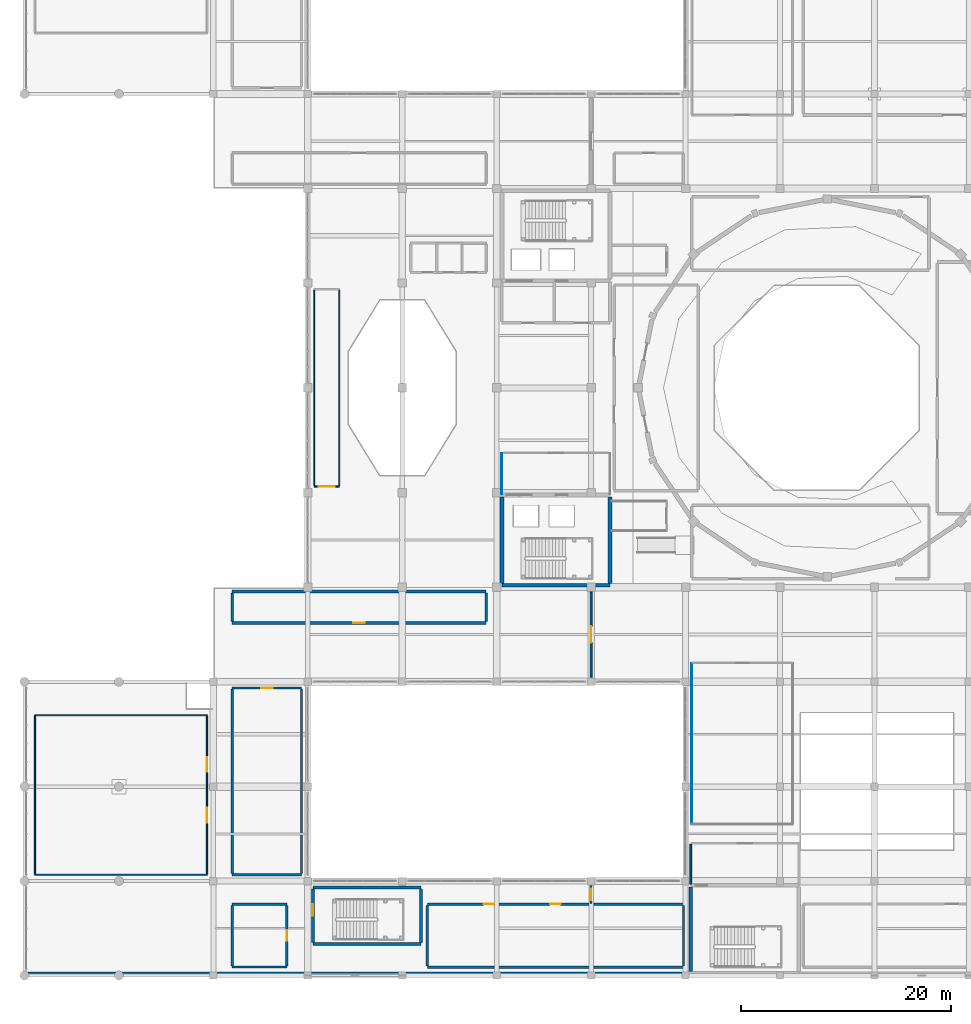
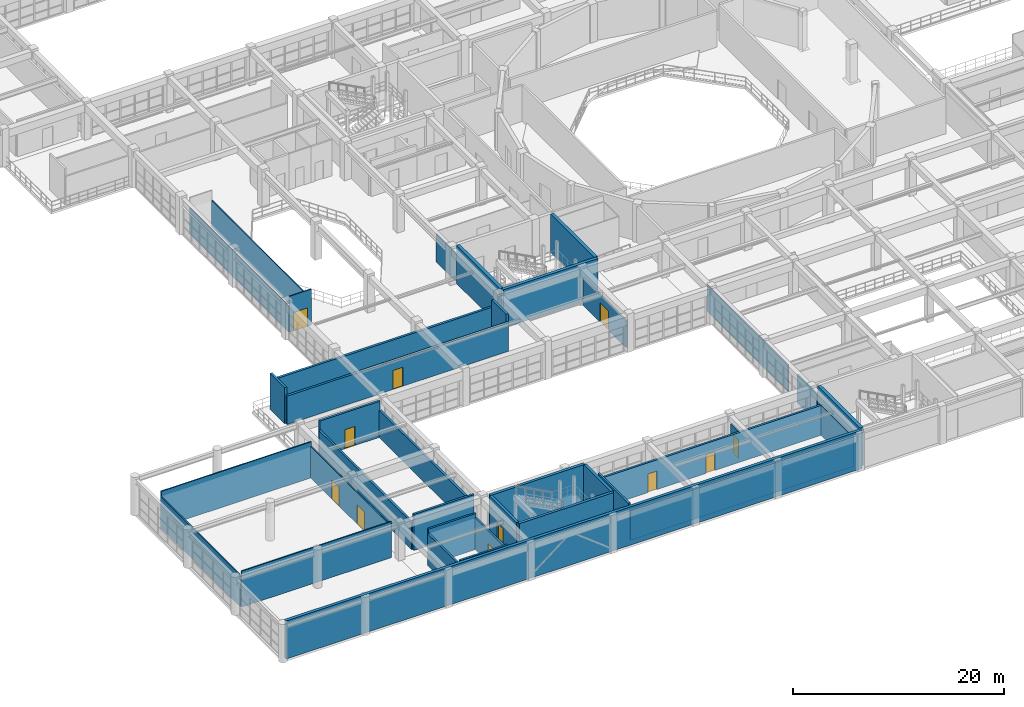
# One storey, part 107 of 133: 37 walls, 11 doors, 11 openings.
"""IFC4 building model written with IfcOpenShell, lengths in metres."""

from ifc_helpers import new_model, si_unit, direction, frame, frame_2d, origin, place, context, subcontext, project, spatial, rectangle, extrude, material, layer, layer_set, type_object, element, fill, save


model = new_model("IFC4")

# Units and contexts
model_context = context("Model", 3, precision=1e-05, world=origin(), true_north=direction((0.0, 1.0)))
body_context = subcontext(model_context, "Body", "Model", "MODEL_VIEW")
ifc_project = project(units=[si_unit("LENGTHUNIT", "METRE"), si_unit("AREAUNIT", "SQUARE_METRE"), si_unit("VOLUMEUNIT", "CUBIC_METRE"), si_unit("PLANEANGLEUNIT", "RADIAN"), si_unit("MASSUNIT", "GRAM", prefix="KILO")], contexts=[model_context])

# Site, building, storey
site_placement = place(None, origin())
site = spatial("IfcSite", under=ifc_project, at=site_placement, CompositionType="ELEMENT")
building_placement = place(site_placement, origin())
building = spatial("IfcBuilding", under=site, at=building_placement, Name="Miravela Opera House", CompositionType="ELEMENT")
storey_placement = place(building_placement, frame((0.0, 0.0, 5.10009765625)))
storey = spatial("IfcBuildingStorey", under=building, at=storey_placement, Name="L01", CompositionType="ELEMENT", Elevation=5.10009765625)

# Walls
ifc_material_1 = material(Name="Acoustic metal-stud gypsum partition")
ifc_layer_1 = layer(ifc_material_1, 0.090087890625)
ifc_layer_set_1 = layer_set([ifc_layer_1])
wall_type_1 = type_object("IfcWallType", Name="ARC-PT-090", PredefinedType="PARTITIONING", material=ifc_layer_set_1)
wall_1_placement = place(storey_placement, frame((45.5, 45.844970703125, 0.0), z_axis=(0.0, 0.0, 1.0), x_axis=(0.0, 1.0, 0.0)))
element("IfcWall", 1, at=wall_1_placement, inside=storey, type_object=wall_type_1, Name="Passenger Lift Lobby K2 L01 Partition West", PredefinedType="PARTITIONING", context=body_context, shape_type="SweptSolid", body=[
    extrude(rectangle(XDim=3.909912109375, YDim=0.090087890625, at=frame_2d((1.955078125, 0.0))), origin(), (0.0, 0.0, 1.0), 3.239990234375),
])
wall_2_placement = place(storey_placement, frame((63.60009765625, 14.445068359375, 0.0), z_axis=(0.0, 0.0, 1.0), x_axis=(0.0, 1.0, 0.0)))
element("IfcWall", 2, at=wall_2_placement, inside=storey, type_object=wall_type_1, Name="Stage Armoury and Prop Artisan Workshop Partition West", PredefinedType="PARTITIONING", context=body_context, shape_type="SweptSolid", body=[
    extrude(rectangle(XDim=15.309814453125, YDim=0.090087890625, at=frame_2d((7.65478515625, 0.0))), origin(), (0.0, 0.0, 1.0), 3.139892578125),
])

# Wall, opening, door
ifc_material_2 = material(Name="Double-layer acoustic gypsum partition")
ifc_layer_2 = layer(ifc_material_2, 0.110107421875)
ifc_layer_set_2 = layer_set([ifc_layer_2])
wall_type_2 = type_object("IfcWallType", Name="ARC-PT-110", PredefinedType="PARTITIONING", material=ifc_layer_set_2)
wall_3_placement = place(storey_placement, frame((27.60009765625, 46.60009765625, 0.0), z_axis=(0.0, 0.0, 1.0), x_axis=(1.0, 0.0, 0.0)))
wall_3 = element("IfcWall", 3, at=wall_3_placement, inside=storey, type_object=wall_type_2, Name="Royal Box Reception and Portrait Gallery Partition South", PredefinedType="PARTITIONING", context=body_context, shape_type="SweptSolid", body=[
    extrude(rectangle(XDim=2.39990234375, YDim=0.110107421875, at=frame_2d((1.199951171875, 0.0))), origin(), (0.0, 0.0, 1.0), 4.159912109375),
])
opening_1_placement = place(wall_3_placement, frame((0.439453125, 0.0, 0.0)))
opening_1 = element("IfcOpeningElement", 4, at=opening_1_placement, cuts=wall_3, Name="Opening ID-41", PredefinedType="OPENING", context=body_context, shape_type="SweptSolid", body=[
    extrude(rectangle(XDim=1.5400390625, YDim=2.139892578125, at=frame_2d((0.77001953125, 1.06982421875))), frame((0.0, 0.06494140625, 0.0), z_axis=(0.0, -1.0, 0.0), x_axis=(1.0, 0.0, 0.0)), (0.0, 0.0, 1.0), 0.130126953125),
])
ifc_material_3 = material(Name="Hardwood acoustic timber door leaf", Category="wood")
door_type_1 = type_object("IfcDoorType", Name="ARC-IDR-154X214", OperationType="NOTDEFINED", PredefinedType="DOOR", material=ifc_material_3)
door_1_placement = place(opening_1_placement, origin())
door_1 = element("IfcDoor", 5, at=door_1_placement, inside=storey, type_object=door_type_1, Name="Royal Box Reception and Portrait Gallery Entry Door IDR-L01-0166", OperationType="DOUBLE_DOOR_SINGLE_SWING", OverallHeight=2.139892578125, OverallWidth=1.5400390625, PredefinedType="DOOR", context=body_context, shape_type="SweptSolid", body=[
    extrude(rectangle(XDim=1.5400390625, YDim=2.139892578125, at=frame_2d((0.77001953125, 1.06982421875))), frame((0.0, 0.02490234375, 0.0), z_axis=(0.0, -1.0, 0.0), x_axis=(1.0, 0.0, 0.0)), (0.0, 0.0, 1.0), 0.050048828125),
])
fill(opening_1, door_1)

# Walls
for number, where, z_axis, x_axis, name in (
    (6, (27.60009765625, 46.655029296875, 0.0), (0.0, 0.0, 1.0), (0.0, 1.0, 0.0), "Royal Box Reception and Portrait Gallery Partition West"),
    (7, (30.0, 46.655029296875, 0.0), (0.0, 0.0, 1.0), (0.0, 1.0, 0.0), "Royal Box Reception and Portrait Gallery Partition East"),
):
    element("IfcWall", number, at=place(storey_placement, frame(where, z_axis=z_axis, x_axis=x_axis)), inside=storey, type_object=wall_type_2, Name=name, PredefinedType="PARTITIONING", context=body_context, shape_type="SweptSolid", body=[
        extrude(rectangle(XDim=18.68994140625, YDim=0.110107421875, at=frame_2d((9.344970703125, 0.0))), origin(), (0.0, 0.0, 1.0), 3.033935546875),
    ])
ifc_material_4 = material(Name="Fire-rated acoustic gypsum partition")
ifc_layer_3 = layer(ifc_material_4, 0.1298828125)
ifc_layer_set_3 = layer_set([ifc_layer_3])
wall_type_3 = type_object("IfcWallType", Name="ARC-PT-130", PredefinedType="PARTITIONING", material=ifc_layer_set_3)
for number, where, z_axis, x_axis, name in (
    (8, (1.0, 9.60009765625, 0.0), (0.0, 0.0, 1.0), (1.0, 0.0, 0.0), "Hispanic Music Heritage Exhibition Gallery Partition South"),
    (9, (1.0, 24.800048828125, 0.0), (0.0, 0.0, 1.0), (1.0, 0.0, 0.0), "Hispanic Music Heritage Exhibition Gallery Partition North"),
):
    element("IfcWall", number, at=place(storey_placement, frame(where, z_axis=z_axis, x_axis=x_axis)), inside=storey, type_object=wall_type_3, Name=name, PredefinedType="PARTITIONING", context=body_context, shape_type="SweptSolid", body=[
        extrude(rectangle(XDim=16.39990234375, YDim=0.1298828125, at=frame_2d((8.199951171875, 0.0))), origin(), (0.0, 0.0, 1.0), 4.159912109375),
    ])
wall_4_placement = place(storey_placement, frame((1.0, 9.6650390625, 0.0), z_axis=(0.0, 0.0, 1.0), x_axis=(0.0, 1.0, 0.0)))
element("IfcWall", 10, at=wall_4_placement, inside=storey, type_object=wall_type_3, Name="Hispanic Music Heritage Exhibition Gallery Partition West", PredefinedType="PARTITIONING", context=body_context, shape_type="SweptSolid", body=[
    extrude(rectangle(XDim=15.070068359375, YDim=0.1298828125, at=frame_2d((7.53515625, 0.0))), origin(), (0.0, 0.0, 1.0), 3.616943359375),
])

# Wall, openings, doors
wall_5_placement = place(storey_placement, frame((17.39990234375, 9.6650390625, 0.0), z_axis=(0.0, 0.0, 1.0), x_axis=(0.0, 1.0, 0.0)))
wall_5 = element("IfcWall", 11, at=wall_5_placement, inside=storey, type_object=wall_type_3, Name="Hispanic Music Heritage Exhibition Gallery Partition East", PredefinedType="PARTITIONING", context=body_context, shape_type="SweptSolid", body=[
    extrude(rectangle(XDim=15.070068359375, YDim=0.1298828125, at=frame_2d((7.53515625, 0.0))), origin(), (0.0, 0.0, 1.0), 3.616943359375),
])
opening_2_placement = place(wall_5_placement, frame((4.910400390625, 0.0, 0.0)))
opening_2 = element("IfcOpeningElement", 12, at=opening_2_placement, cuts=wall_5, Name="Opening ID-05", PredefinedType="OPENING", context=body_context, shape_type="SweptSolid", body=[
    extrude(rectangle(XDim=1.39990234375, YDim=2.199951171875, at=frame_2d((0.699951171875, 1.10009765625))), frame((0.0, 0.074951171875, 0.0), z_axis=(0.0, -1.0, 0.0), x_axis=(1.0, 0.0, 0.0)), (0.0, 0.0, 1.0), 0.14990234375),
])
opening_3_placement = place(wall_5_placement, frame((9.751708984375, 0.0, 0.0)))
opening_3 = element("IfcOpeningElement", 13, at=opening_3_placement, cuts=wall_5, Name="Opening ID-05", PredefinedType="OPENING", context=body_context, shape_type="SweptSolid", body=[
    extrude(rectangle(XDim=1.39990234375, YDim=2.199951171875, at=frame_2d((0.699951171875, 1.10009765625))), frame((0.0, 0.074951171875, 0.0), z_axis=(0.0, -1.0, 0.0), x_axis=(1.0, 0.0, 0.0)), (0.0, 0.0, 1.0), 0.14990234375),
])
ifc_material_5 = material(Name="Double-leaf glazed mahogany salon door")
door_type_2 = type_object("IfcDoorType", Name="ARC-DR-1400X2200", OperationType="NOTDEFINED", PredefinedType="DOOR", material=ifc_material_5)
door_2_placement = place(opening_2_placement, origin())
door_2 = element("IfcDoor", 14, at=door_2_placement, inside=storey, type_object=door_type_2, Name="Hispanic Music Heritage Exhibition Gallery Entry Door IDR-L01-0183", OperationType="DOUBLE_DOOR_SINGLE_SWING", OverallHeight=2.199951171875, OverallWidth=1.39990234375, PredefinedType="DOOR", context=body_context, shape_type="SweptSolid", body=[
    extrude(rectangle(XDim=1.39990234375, YDim=2.199951171875, at=frame_2d((0.699951171875, 1.10009765625))), frame((0.0, 0.02490234375, 0.0), z_axis=(0.0, -1.0, 0.0), x_axis=(1.0, 0.0, 0.0)), (0.0, 0.0, 1.0), 0.050048828125),
])
fill(opening_2, door_2)
door_3_placement = place(opening_3_placement, origin())
door_3 = element("IfcDoor", 15, at=door_3_placement, inside=storey, type_object=door_type_2, Name="Hispanic Music Heritage Exhibition Gallery Secondary Exit Door IDR-L01-0184", OperationType="DOUBLE_DOOR_SINGLE_SWING", OverallHeight=2.199951171875, OverallWidth=1.39990234375, PredefinedType="DOOR", context=body_context, shape_type="SweptSolid", body=[
    extrude(rectangle(XDim=1.39990234375, YDim=2.199951171875, at=frame_2d((0.699951171875, 1.10009765625))), frame((0.0, 0.02490234375, 0.0), z_axis=(0.0, -1.0, 0.0), x_axis=(1.0, 0.0, 0.0)), (0.0, 0.0, 1.0), 0.050048828125),
])
fill(opening_3, door_3)

# Wall
ifc_material_6 = material(Name="Rehearsal isolated acoustic partition")
ifc_layer_4 = layer(ifc_material_6, 0.169921875)
ifc_layer_set_4 = layer_set([ifc_layer_4])
wall_type_4 = type_object("IfcWallType", Name="ARC-PT-170", PredefinedType="PARTITIONING", material=ifc_layer_set_4)
wall_6_placement = place(storey_placement, frame((63.5, 8.68505859375, 0.0), z_axis=(0.0, 0.0, 1.0), x_axis=(0.0, 1.0, 0.0)))
element("IfcWall", 16, at=wall_6_placement, inside=storey, type_object=wall_type_4, Name="Passenger Lift Lobby K6 L01 Partition West", PredefinedType="PARTITIONING", context=body_context, shape_type="SweptSolid", body=[
    extrude(rectangle(XDim=3.829833984375, YDim=0.169921875, at=frame_2d((1.9150390625, 0.0))), origin(), (0.0, 0.0, 1.0), 3.239990234375),
])

# Wall, opening, door
ifc_material_7 = material(Name="Corridor fire-resisting masonry partition", Category="masonry")
ifc_layer_5 = layer(ifc_material_7, 0.18994140625)
ifc_layer_set_5 = layer_set([ifc_layer_5])
wall_type_5 = type_object("IfcWallType", Name="ARC-PT-190", PredefinedType="PARTITIONING", material=ifc_layer_set_5)
wall_7_placement = place(storey_placement, frame((54.0, 28.429931640625, 0.0), z_axis=(0.0, 0.0, 1.0), x_axis=(0.0, 1.0, 0.0)))
wall_7 = element("IfcWall", 17, at=wall_7_placement, inside=storey, type_object=wall_type_5, Name="Corridor Fire Smoke Compartment Partition PT-SMOKE-L01-0962", PredefinedType="PARTITIONING", context=body_context, shape_type="SweptSolid", body=[
    extrude(rectangle(XDim=8.14013671875, YDim=0.18994140625, at=frame_2d((4.070068359375, 0.0))), origin(), (0.0, 0.0, 1.0), 3.139892578125),
])
opening_4_placement = place(wall_7_placement, frame((3.27001953125, 0.0, 0.0)))
opening_4 = element("IfcOpeningElement", 18, at=opening_4_placement, cuts=wall_7, Name="Opening FD-04", PredefinedType="OPENING", context=body_context, shape_type="SweptSolid", body=[
    extrude(rectangle(XDim=1.60009765625, YDim=2.25, at=frame_2d((0.800048828125, 1.125))), frame((0.0, 0.10498046875, 0.0), z_axis=(0.0, -1.0, 0.0), x_axis=(1.0, 0.0, 0.0)), (0.0, 0.0, 1.0), 0.2099609375),
])
ifc_material_8 = material(Name="Fire-rated rehearsal/vomitory double door")
door_type_3 = type_object("IfcDoorType", Name="ARC-FD-1600X2250", OperationType="NOTDEFINED", PredefinedType="DOOR", material=ifc_material_8)
door_4_placement = place(opening_4_placement, frame((1.60009765625, 0.0, 0.0), z_axis=(0.0, 0.0, 1.0), x_axis=(-1.0, 0.0, 0.0)))
door_4 = element("IfcDoor", 19, at=door_4_placement, inside=storey, type_object=door_type_3, Name="Corridor Smoke Compartment Door 06 IDR-L01-0352", OperationType="DOUBLE_DOOR_SINGLE_SWING", OverallHeight=2.25, OverallWidth=1.60009765625, PredefinedType="DOOR", context=body_context, shape_type="SweptSolid", body=[
    extrude(rectangle(XDim=1.60009765625, YDim=2.25, at=frame_2d((0.800048828125, 1.125))), frame((0.0, 0.02490234375, 0.0), z_axis=(0.0, -1.0, 0.0), x_axis=(1.0, 0.0, 0.0)), (0.0, 0.0, 1.0), 0.050048828125),
])
fill(opening_4, door_4)

wall_8_placement = place(storey_placement, frame((54.0, 6.8798828125, 0.0), z_axis=(0.0, 0.0, 1.0), x_axis=(0.0, 1.0, 0.0)))
wall_8 = element("IfcWall", 20, at=wall_8_placement, inside=storey, type_object=wall_type_5, Name="Corridor Fire Smoke Compartment Partition PT-SMOKE-L01-0963", PredefinedType="PARTITIONING", context=body_context, shape_type="SweptSolid", body=[
    extrude(rectangle(XDim=1.72021484375, YDim=0.18994140625, at=frame_2d((0.860107421875, 0.0))), origin(), (0.0, 0.0, 1.0), 3.239990234375),
])
opening_5_placement = place(wall_8_placement, frame((0.31005859375, 0.0, 0.0)))
opening_5 = element("IfcOpeningElement", 21, at=opening_5_placement, cuts=wall_8, Name="Opening FD-01", PredefinedType="OPENING", context=body_context, shape_type="SweptSolid", body=[
    extrude(rectangle(XDim=1.10009765625, YDim=2.199951171875, at=frame_2d((0.550048828125, 1.10009765625))), frame((0.0, 0.10498046875, 0.0), z_axis=(0.0, -1.0, 0.0), x_axis=(1.0, 0.0, 0.0)), (0.0, 0.0, 1.0), 0.2099609375),
])
ifc_material_9 = material(Name="Fire-rated steel/hardwood exit stair door", Category="steel")
door_type_4 = type_object("IfcDoorType", Name="ARC-FD-1100X2200", OperationType="NOTDEFINED", PredefinedType="DOOR", material=ifc_material_9)
door_5_placement = place(opening_5_placement, frame((1.10009765625, 0.0, 0.0), z_axis=(0.0, 0.0, 1.0), x_axis=(-1.0, 0.0, 0.0)))
door_5 = element("IfcDoor", 22, at=door_5_placement, inside=storey, type_object=door_type_4, Name="Corridor Smoke Compartment Door 07 IDR-L01-0353", OperationType="SINGLE_SWING_RIGHT", OverallHeight=2.199951171875, OverallWidth=1.10009765625, PredefinedType="DOOR", context=body_context, shape_type="SweptSolid", body=[
    extrude(rectangle(XDim=1.10009765625, YDim=2.199951171875, at=frame_2d((0.550048828125, 1.10009765625))), frame((0.0, 0.02490234375, 0.0), z_axis=(0.0, -1.0, 0.0), x_axis=(1.0, 0.0, 0.0)), (0.0, 0.0, 1.0), 0.050048828125),
])
fill(opening_5, door_5)

# Wall
ifc_material_10 = material(Name="High-STC auditorium lobby partition")
ifc_layer_6 = layer(ifc_material_10, 0.22998046875)
ifc_layer_set_6 = layer_set([ifc_layer_6])
wall_type_6 = type_object("IfcWallType", Name="ARC-PT-205", PredefinedType="PARTITIONING", material=ifc_layer_set_6)
wall_9_placement = place(storey_placement, frame((38.39990234375, 0.800048828125, 0.0), z_axis=(0.0, 0.0, 1.0), x_axis=(1.0, 0.0, 0.0)))
element("IfcWall", 23, at=wall_9_placement, inside=storey, type_object=wall_type_6, Name="Principal Soloist Dressing Suite 2 Partition South", PredefinedType="PARTITIONING", context=body_context, shape_type="SweptSolid", body=[
    extrude(rectangle(XDim=24.400146484375, YDim=0.22998046875, at=frame_2d((12.2001953125, 0.0))), origin(), (0.0, 0.0, 1.0), 3.43994140625),
])

# Wall, openings, doors
wall_10_placement = place(storey_placement, frame((38.39990234375, 6.800048828125, 0.0), z_axis=(0.0, 0.0, 1.0), x_axis=(1.0, 0.0, 0.0)))
wall_10 = element("IfcWall", 24, at=wall_10_placement, inside=storey, type_object=wall_type_6, Name="Principal Soloist Dressing Suite 2 Partition North", PredefinedType="PARTITIONING", context=body_context, shape_type="SweptSolid", body=[
    extrude(rectangle(XDim=24.400146484375, YDim=0.22998046875, at=frame_2d((12.2001953125, 0.0))), origin(), (0.0, 0.0, 1.0), 3.43994140625),
])
opening_6_placement = place(wall_10_placement, frame((11.699951171875, 0.0, 0.0)))
opening_6 = element("IfcOpeningElement", 25, at=opening_6_placement, cuts=wall_10, Name="Opening ID-02", PredefinedType="OPENING", context=body_context, shape_type="SweptSolid", body=[
    extrude(rectangle(XDim=1.0, YDim=2.14990234375, at=frame_2d((0.5, 1.074951171875))), frame((0.0, 0.125, 0.0), z_axis=(0.0, -1.0, 0.0), x_axis=(1.0, 0.0, 0.0)), (0.0, 0.0, 1.0), 0.25),
])
opening_7_placement = place(wall_10_placement, frame((5.367919921875, 0.0, 0.0)))
opening_7 = element("IfcOpeningElement", 26, at=opening_7_placement, cuts=wall_10, Name="Opening ID-02", PredefinedType="OPENING", context=body_context, shape_type="SweptSolid", body=[
    extrude(rectangle(XDim=1.0, YDim=2.14990234375, at=frame_2d((0.5, 1.074951171875))), frame((0.0, 0.125, 0.0), z_axis=(0.0, -1.0, 0.0), x_axis=(1.0, 0.0, 0.0)), (0.0, 0.0, 1.0), 0.25),
])
ifc_material_11 = material(Name="Solid mahogany soloist suite door")
door_type_5 = type_object("IfcDoorType", Name="ARC-DR-1000X2150", OperationType="NOTDEFINED", PredefinedType="DOOR", material=ifc_material_11)
door_6_placement = place(opening_6_placement, frame((1.0, 0.0, 0.0), z_axis=(0.0, 0.0, 1.0), x_axis=(-1.0, 0.0, 0.0)))
door_6 = element("IfcDoor", 27, at=door_6_placement, inside=storey, type_object=door_type_5, Name="Principal Soloist Dressing Suite 2 Entry Door IDR-L01-0176", OperationType="SINGLE_SWING_RIGHT", OverallHeight=2.14990234375, OverallWidth=1.0, PredefinedType="DOOR", context=body_context, shape_type="SweptSolid", body=[
    extrude(rectangle(XDim=1.0, YDim=2.14990234375, at=frame_2d((0.5, 1.074951171875))), frame((0.0, 0.02490234375, 0.0), z_axis=(0.0, -1.0, 0.0), x_axis=(1.0, 0.0, 0.0)), (0.0, 0.0, 1.0), 0.050048828125),
])
fill(opening_6, door_6)
door_7_placement = place(opening_7_placement, frame((1.0, 0.0, 0.0), z_axis=(0.0, 0.0, 1.0), x_axis=(-1.0, 0.0, 0.0)))
door_7 = element("IfcDoor", 28, at=door_7_placement, inside=storey, type_object=door_type_5, Name="Principal Soloist Dressing Suite 2 Secondary Exit Door IDR-L01-0177", OperationType="SINGLE_SWING_LEFT", OverallHeight=2.14990234375, OverallWidth=1.0, PredefinedType="DOOR", context=body_context, shape_type="SweptSolid", body=[
    extrude(rectangle(XDim=1.0, YDim=2.14990234375, at=frame_2d((0.5, 1.074951171875))), frame((0.0, 0.02490234375, 0.0), z_axis=(0.0, -1.0, 0.0), x_axis=(1.0, 0.0, 0.0)), (0.0, 0.0, 1.0), 0.050048828125),
])
fill(opening_7, door_7)

# Walls
wall_11_placement = place(storey_placement, frame((38.39990234375, 0.9150390625, 0.0), z_axis=(0.0, 0.0, 1.0), x_axis=(0.0, 1.0, 0.0)))
element("IfcWall", 29, at=wall_11_placement, inside=storey, type_object=wall_type_6, Name="Principal Soloist Dressing Suite 2 Partition West", PredefinedType="PARTITIONING", context=body_context, shape_type="SweptSolid", body=[
    extrude(rectangle(XDim=5.77001953125, YDim=0.22998046875, at=frame_2d((2.885009765625, 0.0))), origin(), (0.0, 0.0, 1.0), 4.159912109375),
])
wall_12_placement = place(storey_placement, frame((62.800048828125, 0.9150390625, 0.0), z_axis=(0.0, 0.0, 1.0), x_axis=(0.0, 1.0, 0.0)))
element("IfcWall", 30, at=wall_12_placement, inside=storey, type_object=wall_type_6, Name="Principal Soloist Dressing Suite 2 Partition East", PredefinedType="PARTITIONING", context=body_context, shape_type="SweptSolid", body=[
    extrude(rectangle(XDim=5.77001953125, YDim=0.22998046875, at=frame_2d((2.885009765625, 0.0))), origin(), (0.0, 0.0, 1.0), 3.43994140625),
])
wall_13_placement = place(storey_placement, frame((19.800048828125, 9.60009765625, 0.0), z_axis=(0.0, 0.0, 1.0), x_axis=(1.0, 0.0, 0.0)))
element("IfcWall", 31, at=wall_13_placement, inside=storey, type_object=wall_type_6, Name="Principal Conductor and Maestro Suite Partition South", PredefinedType="PARTITIONING", context=body_context, shape_type="SweptSolid", body=[
    extrude(rectangle(XDim=6.599853515625, YDim=0.22998046875, at=frame_2d((3.2998046875, 0.0))), origin(), (0.0, 0.0, 1.0), 4.159912109375),
])

# Wall, opening, door
wall_14_placement = place(storey_placement, frame((19.800048828125, 27.39990234375, 0.0), z_axis=(0.0, 0.0, 1.0), x_axis=(1.0, 0.0, 0.0)))
wall_14 = element("IfcWall", 32, at=wall_14_placement, inside=storey, type_object=wall_type_6, Name="Principal Conductor and Maestro Suite Partition North", PredefinedType="PARTITIONING", context=body_context, shape_type="SweptSolid", body=[
    extrude(rectangle(XDim=6.599853515625, YDim=0.22998046875, at=frame_2d((3.2998046875, 0.0))), origin(), (0.0, 0.0, 1.0), 4.159912109375),
])
opening_8_placement = place(wall_14_placement, frame((2.75, 0.0, 0.0)))
opening_8 = element("IfcOpeningElement", 33, at=opening_8_placement, cuts=wall_14, Name="Opening ID-03", PredefinedType="OPENING", context=body_context, shape_type="SweptSolid", body=[
    extrude(rectangle(XDim=1.10009765625, YDim=2.199951171875, at=frame_2d((0.550048828125, 1.10009765625))), frame((0.0, 0.125, 0.0), z_axis=(0.0, -1.0, 0.0), x_axis=(1.0, 0.0, 0.0)), (0.0, 0.0, 1.0), 0.25),
])
ifc_material_12 = material(Name="Acoustic hardwood studio door", Category="wood")
door_type_6 = type_object("IfcDoorType", Name="ARC-DR-1100X2200", OperationType="NOTDEFINED", PredefinedType="DOOR", material=ifc_material_12)
door_8_placement = place(opening_8_placement, frame((1.10009765625, 0.0, 0.0), z_axis=(0.0, 0.0, 1.0), x_axis=(-1.0, 0.0, 0.0)))
door_8 = element("IfcDoor", 34, at=door_8_placement, inside=storey, type_object=door_type_6, Name="Principal Conductor and Maestro Suite Entry Door IDR-L01-0189", OperationType="SINGLE_SWING_RIGHT", OverallHeight=2.199951171875, OverallWidth=1.10009765625, PredefinedType="DOOR", context=body_context, shape_type="SweptSolid", body=[
    extrude(rectangle(XDim=1.10009765625, YDim=2.199951171875, at=frame_2d((0.550048828125, 1.10009765625))), frame((0.0, 0.02490234375, 0.0), z_axis=(0.0, -1.0, 0.0), x_axis=(1.0, 0.0, 0.0)), (0.0, 0.0, 1.0), 0.050048828125),
])
fill(opening_8, door_8)

# Walls
for number, where, z_axis, x_axis, name in (
    (35, (19.800048828125, 9.715087890625, 0.0), (0.0, 0.0, 1.0), (0.0, 1.0, 0.0), "Principal Conductor and Maestro Suite Partition West"),
    (36, (26.39990234375, 9.715087890625, 0.0), (0.0, 0.0, 1.0), (0.0, 1.0, 0.0), "Principal Conductor and Maestro Suite Partition East"),
):
    element("IfcWall", number, at=place(storey_placement, frame(where, z_axis=z_axis, x_axis=x_axis)), inside=storey, type_object=wall_type_6, Name=name, PredefinedType="PARTITIONING", context=body_context, shape_type="SweptSolid", body=[
        extrude(rectangle(XDim=17.56982421875, YDim=0.22998046875, at=frame_2d((8.784912109375, 0.0))), origin(), (0.0, 0.0, 1.0), 3.139892578125),
    ])
ifc_material_13 = material(Name="Workshop fire-resisting block partition")
ifc_layer_7 = layer(ifc_material_13, 0.2099609375)
ifc_layer_set_7 = layer_set([ifc_layer_7])
wall_type_7 = type_object("IfcWallType", Name="ARC-PT-210", PredefinedType="PARTITIONING", material=ifc_layer_set_7)
for number, where, z_axis, x_axis, name in (
    (37, (19.800048828125, 0.800048828125, 0.0), (0.0, 0.0, 1.0), (1.0, 0.0, 0.0), "Principal Soloist Dressing Suite 1 Partition South"),
    (38, (19.800048828125, 6.800048828125, 0.0), (0.0, 0.0, 1.0), (1.0, 0.0, 0.0), "Principal Soloist Dressing Suite 1 Partition North"),
):
    element("IfcWall", number, at=place(storey_placement, frame(where, z_axis=z_axis, x_axis=x_axis)), inside=storey, type_object=wall_type_7, Name=name, PredefinedType="PARTITIONING", context=body_context, shape_type="SweptSolid", body=[
        extrude(rectangle(XDim=5.199951171875, YDim=0.2099609375, at=frame_2d((2.60009765625, 0.0))), origin(), (0.0, 0.0, 1.0), 4.159912109375),
    ])
wall_15_placement = place(storey_placement, frame((19.800048828125, 0.905029296875, 0.0), z_axis=(0.0, 0.0, 1.0), x_axis=(0.0, 1.0, 0.0)))
element("IfcWall", 39, at=wall_15_placement, inside=storey, type_object=wall_type_7, Name="Principal Soloist Dressing Suite 1 Partition West", PredefinedType="PARTITIONING", context=body_context, shape_type="SweptSolid", body=[
    extrude(rectangle(XDim=5.7900390625, YDim=0.2099609375, at=frame_2d((2.89501953125, 0.0))), origin(), (0.0, 0.0, 1.0), 3.680908203125),
])

# Wall, opening, door
wall_16_placement = place(storey_placement, frame((25.0, 0.905029296875, 0.0), z_axis=(0.0, 0.0, 1.0), x_axis=(0.0, 1.0, 0.0)))
wall_16 = element("IfcWall", 40, at=wall_16_placement, inside=storey, type_object=wall_type_7, Name="Principal Soloist Dressing Suite 1 Partition East", PredefinedType="PARTITIONING", context=body_context, shape_type="SweptSolid", body=[
    extrude(rectangle(XDim=5.7900390625, YDim=0.2099609375, at=frame_2d((2.89501953125, 0.0))), origin(), (0.0, 0.0, 1.0), 3.680908203125),
])
opening_9_placement = place(wall_16_placement, frame((2.39501953125, 0.0, 0.0)))
opening_9 = element("IfcOpeningElement", 41, at=opening_9_placement, cuts=wall_16, Name="Opening ID-02", PredefinedType="OPENING", context=body_context, shape_type="SweptSolid", body=[
    extrude(rectangle(XDim=1.0, YDim=2.14990234375, at=frame_2d((0.5, 1.074951171875))), frame((0.0, 0.114990234375, 0.0), z_axis=(0.0, -1.0, 0.0), x_axis=(1.0, 0.0, 0.0)), (0.0, 0.0, 1.0), 0.22998046875),
])
door_9_placement = place(opening_9_placement, origin())
door_9 = element("IfcDoor", 42, at=door_9_placement, inside=storey, type_object=door_type_5, Name="Principal Soloist Dressing Suite 1 Entry Door IDR-L01-0175", OperationType="SINGLE_SWING_LEFT", OverallHeight=2.14990234375, OverallWidth=1.0, PredefinedType="DOOR", context=body_context, shape_type="SweptSolid", body=[
    extrude(rectangle(XDim=1.0, YDim=2.14990234375, at=frame_2d((0.5, 1.074951171875))), frame((0.0, 0.02490234375, 0.0), z_axis=(0.0, -1.0, 0.0), x_axis=(1.0, 0.0, 0.0)), (0.0, 0.0, 1.0), 0.050048828125),
])
fill(opening_9, door_9)

ifc_material_14 = material(Name="Firefighting lobby compartment wall")
ifc_layer_8 = layer(ifc_material_14, 0.25)
ifc_layer_set_8 = layer_set([ifc_layer_8])
wall_type_8 = type_object("IfcWallType", Name="ARC-PT-220", PredefinedType="PARTITIONING", material=ifc_layer_set_8)
wall_17_placement = place(storey_placement, frame((19.800048828125, 33.60009765625, 0.0), z_axis=(0.0, 0.0, 1.0), x_axis=(1.0, 0.0, 0.0)))
wall_17 = element("IfcWall", 43, at=wall_17_placement, inside=storey, type_object=wall_type_8, Name="Visiting Soloist Dressing Suite 3 Partition South", PredefinedType="PARTITIONING", context=body_context, shape_type="SweptSolid", body=[
    extrude(rectangle(XDim=24.199951171875, YDim=0.25, at=frame_2d((12.10009765625, 0.0))), origin(), (0.0, 0.0, 1.0), 3.289794921875),
])
opening_10_placement = place(wall_17_placement, frame((11.550048828125, 0.0, 0.0)))
opening_10 = element("IfcOpeningElement", 44, at=opening_10_placement, cuts=wall_17, Name="Opening ID-03", PredefinedType="OPENING", context=body_context, shape_type="SweptSolid", body=[
    extrude(rectangle(XDim=1.10009765625, YDim=2.199951171875, at=frame_2d((0.550048828125, 1.10009765625))), frame((0.0, 0.135009765625, 0.0), z_axis=(0.0, -1.0, 0.0), x_axis=(1.0, 0.0, 0.0)), (0.0, 0.0, 1.0), 0.27001953125),
])
door_10_placement = place(opening_10_placement, frame((1.10009765625, 0.0, 0.0), z_axis=(0.0, 0.0, 1.0), x_axis=(-1.0, 0.0, 0.0)))
door_10 = element("IfcDoor", 45, at=door_10_placement, inside=storey, type_object=door_type_6, Name="Visiting Soloist Dressing Suite 3 Entry Door IDR-L01-0190", OperationType="SINGLE_SWING_LEFT", OverallHeight=2.199951171875, OverallWidth=1.10009765625, PredefinedType="DOOR", context=body_context, shape_type="SweptSolid", body=[
    extrude(rectangle(XDim=1.10009765625, YDim=2.199951171875, at=frame_2d((0.550048828125, 1.10009765625))), frame((0.0, 0.02490234375, 0.0), z_axis=(0.0, -1.0, 0.0), x_axis=(1.0, 0.0, 0.0)), (0.0, 0.0, 1.0), 0.050048828125),
])
fill(opening_10, door_10)

# Walls
wall_18_placement = place(storey_placement, frame((19.800048828125, 36.60009765625, 0.0), z_axis=(0.0, 0.0, 1.0), x_axis=(1.0, 0.0, 0.0)))
element("IfcWall", 46, at=wall_18_placement, inside=storey, type_object=wall_type_8, Name="Visiting Soloist Dressing Suite 3 Partition North", PredefinedType="PARTITIONING", context=body_context, shape_type="SweptSolid", body=[
    extrude(rectangle(XDim=24.199951171875, YDim=0.25, at=frame_2d((12.10009765625, 0.0))), origin(), (0.0, 0.0, 1.0), 3.289794921875),
])
for number, where, z_axis, x_axis, name in (
    (47, (19.800048828125, 33.72509765625, 0.0), (0.0, 0.0, 1.0), (0.0, 1.0, 0.0), "Visiting Soloist Dressing Suite 3 Partition West"),
    (48, (44.0, 33.72509765625, 0.0), (0.0, 0.0, 1.0), (0.0, 1.0, 0.0), "Visiting Soloist Dressing Suite 3 Partition East"),
):
    element("IfcWall", number, at=place(storey_placement, frame(where, z_axis=z_axis, x_axis=x_axis)), inside=storey, type_object=wall_type_8, Name=name, PredefinedType="PARTITIONING", context=body_context, shape_type="SweptSolid", body=[
        extrude(rectangle(XDim=2.75, YDim=0.25, at=frame_2d((1.375, 0.0))), origin(), (0.0, 0.0, 1.0), 4.159912109375),
    ])
ifc_material_15 = material(Name="Concrete C40/50", Category="concrete")
ifc_layer_9 = layer(ifc_material_15, 0.35009765625)
ifc_layer_set_9 = layer_set([ifc_layer_9])
wall_type_9 = type_object("IfcWallType", Name="STR-WALL-CORE-350", PredefinedType="SHEAR", material=ifc_layer_set_9)
wall_19_placement = place(storey_placement, frame((45.5, 37.199951171875, 0.0), z_axis=(0.0, 0.0, 1.0), x_axis=(1.0, 0.0, 0.0)))
element("IfcWall", 49, at=wall_19_placement, inside=storey, type_object=wall_type_9, Name="Core K2 Shear Wall South (L01)", PredefinedType="SHEAR", context=body_context, shape_type="SweptSolid", body=[
    extrude(rectangle(XDim=10.300048828125, YDim=0.35009765625, at=frame_2d((5.14990234375, 0.0))), origin(), (0.0, 0.0, 1.0), 4.419921875),
])
for number, where, z_axis, x_axis, name in (
    (50, (45.5, 37.375, 0.0), (0.0, 0.0, 1.0), (0.0, 1.0, 0.0), "Core K2 Shear Wall West (L01)"),
    (51, (55.800048828125, 37.375, 0.0), (0.0, 0.0, 1.0), (0.0, 1.0, 0.0), "Core K2 Shear Wall East (L01)"),
):
    element("IfcWall", number, at=place(storey_placement, frame(where, z_axis=z_axis, x_axis=x_axis)), inside=storey, type_object=wall_type_9, Name=name, PredefinedType="SHEAR", context=body_context, shape_type="SweptSolid", body=[
        extrude(rectangle(XDim=8.25, YDim=0.35009765625, at=frame_2d((4.125, 0.0))), origin(), (0.0, 0.0, 1.0), 4.419921875),
    ])
wall_20_placement = place(storey_placement, frame((63.5, 0.375, 0.0), z_axis=(0.0, 0.0, 1.0), x_axis=(0.0, 1.0, 0.0)))
element("IfcWall", 52, at=wall_20_placement, inside=storey, type_object=wall_type_9, Name="Core K6 Shear Wall West (L01)", PredefinedType="SHEAR", context=body_context, shape_type="SweptSolid", body=[
    extrude(rectangle(XDim=8.050048828125, YDim=0.35009765625, at=frame_2d((4.02490234375, 0.0))), origin(), (0.0, 0.0, 1.0), 4.419921875),
])
ifc_material_16 = material(Name="Concrete C35/45", Category="concrete")
ifc_layer_10 = layer(ifc_material_16, 0.320068359375)
ifc_layer_set_10 = layer_set([ifc_layer_10])
wall_type_10 = type_object("IfcWallType", Name="STR-WALL-PARTY-320", PredefinedType="SHEAR", material=ifc_layer_set_10)
wall_21_placement = place(storey_placement, frame((0.35009765625, 0.159912109375, 0.0), z_axis=(0.0, 0.0, 1.0), x_axis=(1.0, 0.0, 0.0)))
element("IfcWall", 53, at=wall_21_placement, inside=storey, type_object=wall_type_10, Name="South Lot-Line Blind Fire Party Wall West (L01)", PredefinedType="SHEAR", context=body_context, shape_type="SweptSolid", body=[
    extrude(rectangle(XDim=62.949951171875, YDim=0.320068359375, at=frame_2d((31.47509765625, 0.0))), origin(), (0.0, 0.0, 1.0), 4.419921875),
])
ifc_layer_11 = layer(ifc_material_16, 0.300048828125)
ifc_layer_set_11 = layer_set([ifc_layer_11])
wall_type_11 = type_object("IfcWallType", Name="STR-WALL-WING-300", PredefinedType="SHEAR", material=ifc_layer_set_11)
for number, where, z_axis, x_axis, name in (
    (54, (27.5, 3.0, 0.0), (0.0, 0.0, 1.0), (1.0, 0.0, 0.0), "Core ST-08 Shear Wall South (L01)"),
    (55, (27.5, 8.39990234375, 0.0), (0.0, 0.0, 1.0), (1.0, 0.0, 0.0), "Core ST-08 Shear Wall North (L01)"),
):
    element("IfcWall", number, at=place(storey_placement, frame(where, z_axis=z_axis, x_axis=x_axis)), inside=storey, type_object=wall_type_11, Name=name, PredefinedType="SHEAR", context=body_context, shape_type="SweptSolid", body=[
        extrude(rectangle(XDim=10.300048828125, YDim=0.300048828125, at=frame_2d((5.14990234375, 0.0))), origin(), (0.0, 0.0, 1.0), 4.419921875),
    ])

# Wall, opening, door
wall_22_placement = place(storey_placement, frame((27.5, 3.14990234375, 0.0), z_axis=(0.0, 0.0, 1.0), x_axis=(0.0, 1.0, 0.0)))
wall_22 = element("IfcWall", 56, at=wall_22_placement, inside=storey, type_object=wall_type_11, Name="Core ST-08 Shear Wall West (L01)", PredefinedType="SHEAR", context=body_context, shape_type="SweptSolid", body=[
    extrude(rectangle(XDim=5.10009765625, YDim=0.300048828125, at=frame_2d((2.550048828125, 0.0))), origin(), (0.0, 0.0, 1.0), 4.419921875),
])
opening_11_placement = place(wall_22_placement, frame((2.550048828125, 0.0, 0.0)))
opening_11 = element("IfcOpeningElement", 57, at=opening_11_placement, cuts=wall_22, Name="Opening FD-01", PredefinedType="OPENING", context=body_context, shape_type="SweptSolid", body=[
    extrude(rectangle(XDim=1.10009765625, YDim=2.199951171875, at=frame_2d((0.550048828125, 1.10009765625))), frame((0.0, 0.159912109375, 0.0), z_axis=(0.0, -1.0, 0.0), x_axis=(1.0, 0.0, 0.0)), (0.0, 0.0, 1.0), 0.320068359375),
])
door_11_placement = place(opening_11_placement, frame((1.10009765625, 0.0, 0.0), z_axis=(0.0, 0.0, 1.0), x_axis=(-1.0, 0.0, 0.0)))
door_11 = element("IfcDoor", 58, at=door_11_placement, inside=storey, type_object=door_type_4, Name="Exit Stair ST-08 Rated Door (L01) IDR-L01-0048", OperationType="SINGLE_SWING_RIGHT", OverallHeight=2.199951171875, OverallWidth=1.10009765625, PredefinedType="DOOR", context=body_context, shape_type="SweptSolid", body=[
    extrude(rectangle(XDim=1.10009765625, YDim=2.199951171875, at=frame_2d((0.550048828125, 1.10009765625))), frame((0.0, 0.02490234375, 0.0), z_axis=(0.0, -1.0, 0.0), x_axis=(1.0, 0.0, 0.0)), (0.0, 0.0, 1.0), 0.050048828125),
])
fill(opening_11, door_11)

# Wall
wall_23_placement = place(storey_placement, frame((37.800048828125, 3.14990234375, 0.0), z_axis=(0.0, 0.0, 1.0), x_axis=(0.0, 1.0, 0.0)))
element("IfcWall", 59, at=wall_23_placement, inside=storey, type_object=wall_type_11, Name="Core ST-08 Shear Wall East (L01)", PredefinedType="SHEAR", context=body_context, shape_type="SweptSolid", body=[
    extrude(rectangle(XDim=5.10009765625, YDim=0.300048828125, at=frame_2d((2.550048828125, 0.0))), origin(), (0.0, 0.0, 1.0), 4.419921875),
])

save(model, "model.ifc")
